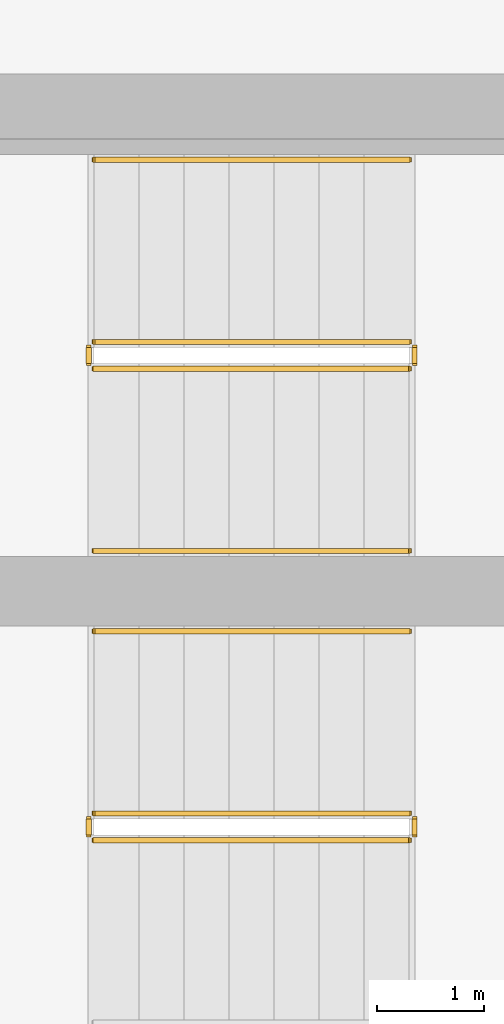
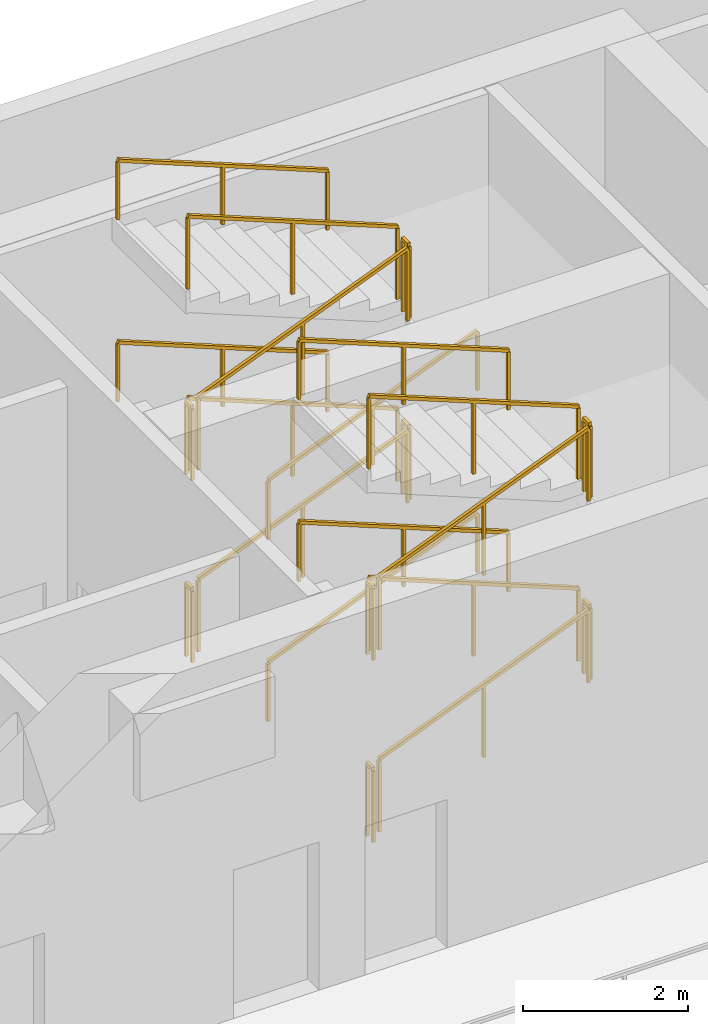
# One storey, part 9 of 9: 22 railings.
"""IFC4 building model written with IfcOpenShell, lengths in metres."""

from ifc_helpers import new_model, si_unit, direction, frame, origin, origin_2d, place, context, subcontext, project, spatial, rectangle, extrude, material, layer, layer_set, type_object, element, save


model = new_model("IFC4")

# Units and contexts
model_context = context("Model", 3, precision=1e-05, world=origin(), true_north=direction((0.0, 1.0)))
body_context = subcontext(model_context, "Body", "Model", "MODEL_VIEW")
ifc_project = project(units=[si_unit("LENGTHUNIT", "METRE"), si_unit("AREAUNIT", "SQUARE_METRE"), si_unit("VOLUMEUNIT", "CUBIC_METRE"), si_unit("PLANEANGLEUNIT", "RADIAN"), si_unit("MASSUNIT", "GRAM", prefix="KILO")], contexts=[model_context])

# Site, building, storey
site_placement = place(None, origin())
site = spatial("IfcSite", under=ifc_project, at=site_placement, CompositionType="ELEMENT")
building_placement = place(site_placement, origin())
building = spatial("IfcBuilding", under=site, at=building_placement, Name="Caeloran Harvest Quay", CompositionType="ELEMENT")
storey_placement = place(building_placement, frame((0.0, 0.0, 21.60009765625)))
storey = spatial("IfcBuildingStorey", under=building, at=storey_placement, Name="L05", CompositionType="ELEMENT", Elevation=21.60009765625)

# Railings
ifc_material_1 = material(Name="Painted Steel Baluster and Top-Rail Stair Guard", Category="steel")
ifc_layer_1 = layer(ifc_material_1, 0.050048828125, Name="Painted Steel Baluster and Top-Rail Stair Guard")
ifc_layer_set_1 = layer_set([ifc_layer_1], Name="Painted Steel Baluster and Top-Rail Stair Guard")
railing_type_1 = type_object("IfcRailingType", Name="STAIR-GUARD-1100", PredefinedType="GUARDRAIL", material=ifc_layer_set_1)
railing_1_placement = place(storey_placement, frame((15.89990234375, 38.25, 0.168701171875)))
element("IfcRailing", 1, at=railing_1_placement, inside=storey, type_object=railing_type_1, Name="L05 ST-C1 stair guard 1", PredefinedType="GUARDRAIL", context=body_context, shape_type="SweptSolid", body=[
    extrude(rectangle(XDim=0.048095703125, YDim=0.048095703125, at=origin_2d()), frame((0.0, 0.0, 1.076171875), z_axis=(0.927923022591, 0.0, 0.372771866088), x_axis=(0.0, 1.0, 0.0)), (0.0, 0.0, 1.0), 3.16845703125),
    extrude(rectangle(XDim=0.0419921875, YDim=0.0419921875, at=origin_2d()), origin(), (0.0, 0.0, 1.0), 1.052001953125),
    extrude(rectangle(XDim=0.0419921875, YDim=0.0419921875, at=origin_2d()), frame((1.47021484375, 0.0, 0.590576171875)), (0.0, 0.0, 1.0), 1.052001953125),
    extrude(rectangle(XDim=0.0419921875, YDim=0.0419921875, at=origin_2d()), frame((2.940185546875, 0.0, 1.18115234375)), (0.0, 0.0, 1.0), 1.052001953125),
])
railing_2_placement = place(storey_placement, frame((18.889892578125, 38.300048828125, 1.349853515625)))
element("IfcRailing", 2, at=railing_2_placement, inside=storey, type_object=railing_type_1, Name="L05 ST-C1 stair guard 2", PredefinedType="GUARDRAIL", context=body_context, shape_type="SweptSolid", body=[
    extrude(rectangle(XDim=0.048095703125, YDim=0.048095703125, at=origin_2d()), frame((0.0, 0.0, 1.076171875), z_axis=(0.0, 1.0, 0.0), x_axis=(-1.0, 0.0, 0.0)), (0.0, 0.0, 1.0), 0.14990234375),
    extrude(rectangle(XDim=0.0419921875, YDim=0.0419921875, at=origin_2d()), origin(), (0.0, 0.0, 1.0), 1.052001953125),
    extrude(rectangle(XDim=0.0419921875, YDim=0.0419921875, at=origin_2d()), frame((0.0, 0.14990234375, 0.0)), (0.0, 0.0, 1.0), 1.052001953125),
])
railing_3_placement = place(storey_placement, frame((18.840087890625, 38.5, 1.5185546875)))
element("IfcRailing", 3, at=railing_3_placement, inside=storey, type_object=railing_type_1, Name="L05 ST-C1 stair guard 3", PredefinedType="GUARDRAIL", context=body_context, shape_type="SweptSolid", body=[
    extrude(rectangle(XDim=0.048095703125, YDim=0.048095703125, at=origin_2d()), frame((0.0, 0.0, 1.076171875), z_axis=(-0.927896368829, 0.0, 0.372838207155), x_axis=(0.0, -1.0, 0.0)), (0.0, 0.0, 1.0), 3.168701171875),
    extrude(rectangle(XDim=0.0419921875, YDim=0.0419921875, at=origin_2d()), origin(), (0.0, 0.0, 1.0), 1.052001953125),
    extrude(rectangle(XDim=0.0419921875, YDim=0.0419921875, at=origin_2d()), frame((-1.47021484375, 0.0, 0.5908203125)), (0.0, 0.0, 1.0), 1.052001953125),
    extrude(rectangle(XDim=0.0419921875, YDim=0.0419921875, at=origin_2d()), frame((-2.940185546875, 0.0, 1.181396484375)), (0.0, 0.0, 1.0), 1.052001953125),
])
railing_4_placement = place(storey_placement, frame((15.85009765625, 38.300048828125, 2.699951171875)))
element("IfcRailing", 4, at=railing_4_placement, inside=storey, type_object=railing_type_1, Name="L05 ST-C1 stair guard 4", PredefinedType="GUARDRAIL", context=body_context, shape_type="SweptSolid", body=[
    extrude(rectangle(XDim=0.048095703125, YDim=0.048095703125, at=origin_2d()), frame((0.0, 0.0, 1.076171875), z_axis=(0.0, 1.0, 0.0), x_axis=(-1.0, 0.0, 0.0)), (0.0, 0.0, 1.0), 0.14990234375),
    extrude(rectangle(XDim=0.0419921875, YDim=0.0419921875, at=origin_2d()), origin(), (0.0, 0.0, 1.0), 1.052001953125),
    extrude(rectangle(XDim=0.0419921875, YDim=0.0419921875, at=origin_2d()), frame((0.0, 0.14990234375, 0.0)), (0.0, 0.0, 1.0), 1.052001953125),
])
railing_5_placement = place(storey_placement, frame((15.89990234375, 38.25, 2.86865234375)))
element("IfcRailing", 5, at=railing_5_placement, inside=storey, type_object=railing_type_1, Name="L05 ST-C1 stair guard 5", PredefinedType="GUARDRAIL", context=body_context, shape_type="SweptSolid", body=[
    extrude(rectangle(XDim=0.048095703125, YDim=0.048095703125, at=origin_2d()), frame((0.0, 0.0, 1.076171875), z_axis=(0.927923022591, 0.0, 0.372771866088), x_axis=(0.0, 1.0, 0.0)), (0.0, 0.0, 1.0), 3.16845703125),
    extrude(rectangle(XDim=0.0419921875, YDim=0.0419921875, at=origin_2d()), origin(), (0.0, 0.0, 1.0), 1.052001953125),
    extrude(rectangle(XDim=0.0419921875, YDim=0.0419921875, at=origin_2d()), frame((1.47021484375, 0.0, 0.590576171875)), (0.0, 0.0, 1.0), 1.052001953125),
    extrude(rectangle(XDim=0.0419921875, YDim=0.0419921875, at=origin_2d()), frame((2.940185546875, 0.0, 1.18115234375)), (0.0, 0.0, 1.0), 1.052001953125),
])
railing_6_placement = place(storey_placement, frame((18.889892578125, 38.300048828125, 4.0498046875)))
element("IfcRailing", 6, at=railing_6_placement, inside=storey, type_object=railing_type_1, Name="L05 ST-C1 stair guard 6", PredefinedType="GUARDRAIL", context=body_context, shape_type="SweptSolid", body=[
    extrude(rectangle(XDim=0.048095703125, YDim=0.048095703125, at=origin_2d()), frame((0.0, 0.0, 1.076171875), z_axis=(0.0, 1.0, 0.0), x_axis=(-1.0, 0.0, 0.0)), (0.0, 0.0, 1.0), 0.14990234375),
    extrude(rectangle(XDim=0.0419921875, YDim=0.0419921875, at=origin_2d()), origin(), (0.0, 0.0, 1.0), 1.052001953125),
    extrude(rectangle(XDim=0.0419921875, YDim=0.0419921875, at=origin_2d()), frame((0.0, 0.14990234375, 0.0)), (0.0, 0.0, 1.0), 1.052001953125),
])
railing_7_placement = place(storey_placement, frame((18.840087890625, 38.5, 4.21875)))
element("IfcRailing", 7, at=railing_7_placement, inside=storey, type_object=railing_type_1, Name="L05 ST-C1 stair guard 7", PredefinedType="GUARDRAIL", context=body_context, shape_type="SweptSolid", body=[
    extrude(rectangle(XDim=0.048095703125, YDim=0.048095703125, at=origin_2d()), frame((0.0, 0.0, 1.076171875), z_axis=(-0.927923022591, 0.0, 0.372771866088), x_axis=(0.0, -1.0, 0.0)), (0.0, 0.0, 1.0), 3.16845703125),
    extrude(rectangle(XDim=0.0419921875, YDim=0.0419921875, at=origin_2d()), origin(), (0.0, 0.0, 1.0), 1.052001953125),
    extrude(rectangle(XDim=0.0419921875, YDim=0.0419921875, at=origin_2d()), frame((-1.47021484375, 0.0, 0.590576171875)), (0.0, 0.0, 1.0), 1.052001953125),
    extrude(rectangle(XDim=0.0419921875, YDim=0.0419921875, at=origin_2d()), frame((-2.940185546875, 0.0, 1.18115234375)), (0.0, 0.0, 1.0), 1.052001953125),
])
railing_8_placement = place(storey_placement, frame((15.85009765625, 38.300048828125, 0.0)))
element("IfcRailing", 8, at=railing_8_placement, inside=storey, type_object=railing_type_1, Name="L05 ST-C1 stair guard 8", PredefinedType="GUARDRAIL", context=body_context, shape_type="SweptSolid", body=[
    extrude(rectangle(XDim=0.048095703125, YDim=0.048095703125, at=origin_2d()), frame((0.0, 0.0, 1.076171875), z_axis=(0.0, 1.0, 0.0), x_axis=(-1.0, 0.0, 0.0)), (0.0, 0.0, 1.0), 0.14990234375),
    extrude(rectangle(XDim=0.0419921875, YDim=0.0419921875, at=origin_2d()), origin(), (0.0, 0.0, 1.0), 1.052001953125),
    extrude(rectangle(XDim=0.0419921875, YDim=0.0419921875, at=origin_2d()), frame((0.0, 0.14990234375, 0.0)), (0.0, 0.0, 1.0), 1.052001953125),
])
railing_9_placement = place(storey_placement, frame((15.89990234375, 33.85009765625, 0.168701171875)))
element("IfcRailing", 9, at=railing_9_placement, inside=storey, type_object=railing_type_1, Name="L05 ST-C2 stair guard 1", PredefinedType="GUARDRAIL", context=body_context, shape_type="SweptSolid", body=[
    extrude(rectangle(XDim=0.048095703125, YDim=0.048095703125, at=origin_2d()), frame((0.0, 0.0, 1.076171875), z_axis=(0.927923022591, 0.0, 0.372771866088), x_axis=(0.0, 1.0, 0.0)), (0.0, 0.0, 1.0), 3.16845703125),
    extrude(rectangle(XDim=0.0419921875, YDim=0.0419921875, at=origin_2d()), origin(), (0.0, 0.0, 1.0), 1.052001953125),
    extrude(rectangle(XDim=0.0419921875, YDim=0.0419921875, at=origin_2d()), frame((1.47021484375, 0.0, 0.590576171875)), (0.0, 0.0, 1.0), 1.052001953125),
    extrude(rectangle(XDim=0.0419921875, YDim=0.0419921875, at=origin_2d()), frame((2.940185546875, 0.0, 1.18115234375)), (0.0, 0.0, 1.0), 1.052001953125),
])
railing_10_placement = place(storey_placement, frame((18.889892578125, 33.89990234375, 1.349853515625)))
element("IfcRailing", 10, at=railing_10_placement, inside=storey, type_object=railing_type_1, Name="L05 ST-C2 stair guard 2", PredefinedType="GUARDRAIL", context=body_context, shape_type="SweptSolid", body=[
    extrude(rectangle(XDim=0.048095703125, YDim=0.048095703125, at=origin_2d()), frame((0.0, 0.0, 1.076171875), z_axis=(0.0, 1.0, 0.0), x_axis=(-1.0, 0.0, 0.0)), (0.0, 0.0, 1.0), 0.150146484375),
    extrude(rectangle(XDim=0.0419921875, YDim=0.0419921875, at=origin_2d()), origin(), (0.0, 0.0, 1.0), 1.052001953125),
    extrude(rectangle(XDim=0.0419921875, YDim=0.0419921875, at=origin_2d()), frame((0.0, 0.150146484375, 0.0)), (0.0, 0.0, 1.0), 1.052001953125),
])
railing_11_placement = place(storey_placement, frame((18.840087890625, 34.10009765625, 1.5185546875)))
element("IfcRailing", 11, at=railing_11_placement, inside=storey, type_object=railing_type_1, Name="L05 ST-C2 stair guard 3", PredefinedType="GUARDRAIL", context=body_context, shape_type="SweptSolid", body=[
    extrude(rectangle(XDim=0.048095703125, YDim=0.048095703125, at=origin_2d()), frame((0.0, 0.0, 1.076171875), z_axis=(-0.927896368829, 0.0, 0.372838207155), x_axis=(0.0, -1.0, 0.0)), (0.0, 0.0, 1.0), 3.168701171875),
    extrude(rectangle(XDim=0.0419921875, YDim=0.0419921875, at=origin_2d()), origin(), (0.0, 0.0, 1.0), 1.052001953125),
    extrude(rectangle(XDim=0.0419921875, YDim=0.0419921875, at=origin_2d()), frame((-1.47021484375, 0.0, 0.5908203125)), (0.0, 0.0, 1.0), 1.052001953125),
    extrude(rectangle(XDim=0.0419921875, YDim=0.0419921875, at=origin_2d()), frame((-2.940185546875, 0.0, 1.181396484375)), (0.0, 0.0, 1.0), 1.052001953125),
])
railing_12_placement = place(storey_placement, frame((15.85009765625, 33.89990234375, 2.699951171875)))
element("IfcRailing", 12, at=railing_12_placement, inside=storey, type_object=railing_type_1, Name="L05 ST-C2 stair guard 4", PredefinedType="GUARDRAIL", context=body_context, shape_type="SweptSolid", body=[
    extrude(rectangle(XDim=0.048095703125, YDim=0.048095703125, at=origin_2d()), frame((0.0, 0.0, 1.076171875), z_axis=(0.0, 1.0, 0.0), x_axis=(-1.0, 0.0, 0.0)), (0.0, 0.0, 1.0), 0.150146484375),
    extrude(rectangle(XDim=0.0419921875, YDim=0.0419921875, at=origin_2d()), origin(), (0.0, 0.0, 1.0), 1.052001953125),
    extrude(rectangle(XDim=0.0419921875, YDim=0.0419921875, at=origin_2d()), frame((0.0, 0.150146484375, 0.0)), (0.0, 0.0, 1.0), 1.052001953125),
])
railing_13_placement = place(storey_placement, frame((15.89990234375, 33.85009765625, 2.86865234375)))
element("IfcRailing", 13, at=railing_13_placement, inside=storey, type_object=railing_type_1, Name="L05 ST-C2 stair guard 5", PredefinedType="GUARDRAIL", context=body_context, shape_type="SweptSolid", body=[
    extrude(rectangle(XDim=0.048095703125, YDim=0.048095703125, at=origin_2d()), frame((0.0, 0.0, 1.076171875), z_axis=(0.927923022591, 0.0, 0.372771866088), x_axis=(0.0, 1.0, 0.0)), (0.0, 0.0, 1.0), 3.16845703125),
    extrude(rectangle(XDim=0.0419921875, YDim=0.0419921875, at=origin_2d()), origin(), (0.0, 0.0, 1.0), 1.052001953125),
    extrude(rectangle(XDim=0.0419921875, YDim=0.0419921875, at=origin_2d()), frame((1.47021484375, 0.0, 0.590576171875)), (0.0, 0.0, 1.0), 1.052001953125),
    extrude(rectangle(XDim=0.0419921875, YDim=0.0419921875, at=origin_2d()), frame((2.940185546875, 0.0, 1.18115234375)), (0.0, 0.0, 1.0), 1.052001953125),
])
railing_14_placement = place(storey_placement, frame((18.889892578125, 33.89990234375, 4.0498046875)))
element("IfcRailing", 14, at=railing_14_placement, inside=storey, type_object=railing_type_1, Name="L05 ST-C2 stair guard 6", PredefinedType="GUARDRAIL", context=body_context, shape_type="SweptSolid", body=[
    extrude(rectangle(XDim=0.048095703125, YDim=0.048095703125, at=origin_2d()), frame((0.0, 0.0, 1.076171875), z_axis=(0.0, 1.0, 0.0), x_axis=(-1.0, 0.0, 0.0)), (0.0, 0.0, 1.0), 0.150146484375),
    extrude(rectangle(XDim=0.0419921875, YDim=0.0419921875, at=origin_2d()), origin(), (0.0, 0.0, 1.0), 1.052001953125),
    extrude(rectangle(XDim=0.0419921875, YDim=0.0419921875, at=origin_2d()), frame((0.0, 0.150146484375, 0.0)), (0.0, 0.0, 1.0), 1.052001953125),
])
railing_15_placement = place(storey_placement, frame((18.840087890625, 34.10009765625, 4.21875)))
element("IfcRailing", 15, at=railing_15_placement, inside=storey, type_object=railing_type_1, Name="L05 ST-C2 stair guard 7", PredefinedType="GUARDRAIL", context=body_context, shape_type="SweptSolid", body=[
    extrude(rectangle(XDim=0.048095703125, YDim=0.048095703125, at=origin_2d()), frame((0.0, 0.0, 1.076171875), z_axis=(-0.927923022591, 0.0, 0.372771866088), x_axis=(0.0, -1.0, 0.0)), (0.0, 0.0, 1.0), 3.16845703125),
    extrude(rectangle(XDim=0.0419921875, YDim=0.0419921875, at=origin_2d()), origin(), (0.0, 0.0, 1.0), 1.052001953125),
    extrude(rectangle(XDim=0.0419921875, YDim=0.0419921875, at=origin_2d()), frame((-1.47021484375, 0.0, 0.590576171875)), (0.0, 0.0, 1.0), 1.052001953125),
    extrude(rectangle(XDim=0.0419921875, YDim=0.0419921875, at=origin_2d()), frame((-2.940185546875, 0.0, 1.18115234375)), (0.0, 0.0, 1.0), 1.052001953125),
])
railing_16_placement = place(storey_placement, frame((15.85009765625, 33.89990234375, 0.0)))
element("IfcRailing", 16, at=railing_16_placement, inside=storey, type_object=railing_type_1, Name="L05 ST-C2 stair guard 8", PredefinedType="GUARDRAIL", context=body_context, shape_type="SweptSolid", body=[
    extrude(rectangle(XDim=0.048095703125, YDim=0.048095703125, at=origin_2d()), frame((0.0, 0.0, 1.076171875), z_axis=(0.0, 1.0, 0.0), x_axis=(-1.0, 0.0, 0.0)), (0.0, 0.0, 1.0), 0.150146484375),
    extrude(rectangle(XDim=0.0419921875, YDim=0.0419921875, at=origin_2d()), origin(), (0.0, 0.0, 1.0), 1.052001953125),
    extrude(rectangle(XDim=0.0419921875, YDim=0.0419921875, at=origin_2d()), frame((0.0, 0.150146484375, 0.0)), (0.0, 0.0, 1.0), 1.052001953125),
])
ifc_material_2 = material(Name="Brushed Stainless Steel Grade 304", Category="steel")
ifc_layer_2 = layer(ifc_material_2, 0.050048828125, Name="Brushed Stainless Steel Grade 304")
ifc_layer_set_2 = layer_set([ifc_layer_2], Name="Brushed Stainless Steel Grade 304")
railing_type_2 = type_object("IfcRailingType", Name="STAIR-HANDRAIL-900", PredefinedType="HANDRAIL", material=ifc_layer_set_2)
railing_17_placement = place(storey_placement, frame((15.89990234375, 36.550048828125, 0.168701171875)))
element("IfcRailing", 17, at=railing_17_placement, inside=storey, type_object=railing_type_2, Name="L05 ST-C1 stair handrail 1", PredefinedType="HANDRAIL", context=body_context, shape_type="SweptSolid", body=[
    extrude(rectangle(XDim=0.048095703125, YDim=0.048095703125, at=origin_2d()), frame((0.0, 0.0, 0.8759765625), z_axis=(0.927923022591, 0.0, 0.372771866088), x_axis=(0.0, 1.0, 0.0)), (0.0, 0.0, 1.0), 3.16845703125),
    extrude(rectangle(XDim=0.0419921875, YDim=0.0419921875, at=origin_2d()), origin(), (0.0, 0.0, 1.0), 0.851806640625),
    extrude(rectangle(XDim=0.0419921875, YDim=0.0419921875, at=origin_2d()), frame((1.47021484375, 0.0, 0.590576171875)), (0.0, 0.0, 1.0), 0.851806640625),
    extrude(rectangle(XDim=0.0419921875, YDim=0.0419921875, at=origin_2d()), frame((2.940185546875, 0.0, 1.18115234375)), (0.0, 0.0, 1.0), 0.851806640625),
])
railing_18_placement = place(storey_placement, frame((18.840087890625, 40.199951171875, 1.5185546875)))
element("IfcRailing", 18, at=railing_18_placement, inside=storey, type_object=railing_type_2, Name="L05 ST-C1 stair handrail 2", PredefinedType="HANDRAIL", context=body_context, shape_type="SweptSolid", body=[
    extrude(rectangle(XDim=0.048095703125, YDim=0.048095703125, at=origin_2d()), frame((0.0, 0.0, 0.8759765625), z_axis=(-0.927896368829, 0.0, 0.372838207155), x_axis=(0.0, -1.0, 0.0)), (0.0, 0.0, 1.0), 3.168701171875),
    extrude(rectangle(XDim=0.0419921875, YDim=0.0419921875, at=origin_2d()), origin(), (0.0, 0.0, 1.0), 0.851806640625),
    extrude(rectangle(XDim=0.0419921875, YDim=0.0419921875, at=origin_2d()), frame((-1.47021484375, 0.0, 0.5908203125)), (0.0, 0.0, 1.0), 0.851806640625),
    extrude(rectangle(XDim=0.0419921875, YDim=0.0419921875, at=origin_2d()), frame((-2.940185546875, 0.0, 1.181396484375)), (0.0, 0.0, 1.0), 0.851806640625),
])
railing_19_placement = place(storey_placement, frame((15.89990234375, 36.550048828125, 2.86865234375)))
element("IfcRailing", 19, at=railing_19_placement, inside=storey, type_object=railing_type_2, Name="L05 ST-C1 stair handrail 3", PredefinedType="HANDRAIL", context=body_context, shape_type="SweptSolid", body=[
    extrude(rectangle(XDim=0.048095703125, YDim=0.048095703125, at=origin_2d()), frame((0.0, 0.0, 0.8759765625), z_axis=(0.927923022591, 0.0, 0.372771866088), x_axis=(0.0, 1.0, 0.0)), (0.0, 0.0, 1.0), 3.16845703125),
    extrude(rectangle(XDim=0.0419921875, YDim=0.0419921875, at=origin_2d()), origin(), (0.0, 0.0, 1.0), 0.851806640625),
    extrude(rectangle(XDim=0.0419921875, YDim=0.0419921875, at=origin_2d()), frame((1.47021484375, 0.0, 0.590576171875)), (0.0, 0.0, 1.0), 0.851806640625),
    extrude(rectangle(XDim=0.0419921875, YDim=0.0419921875, at=origin_2d()), frame((2.940185546875, 0.0, 1.18115234375)), (0.0, 0.0, 1.0), 0.851806640625),
])
railing_20_placement = place(storey_placement, frame((18.840087890625, 40.199951171875, 4.21875)))
element("IfcRailing", 20, at=railing_20_placement, inside=storey, type_object=railing_type_2, Name="L05 ST-C1 stair handrail 4", PredefinedType="HANDRAIL", context=body_context, shape_type="SweptSolid", body=[
    extrude(rectangle(XDim=0.048095703125, YDim=0.048095703125, at=origin_2d()), frame((0.0, 0.0, 0.8759765625), z_axis=(-0.927923022591, 0.0, 0.372771866088), x_axis=(0.0, -1.0, 0.0)), (0.0, 0.0, 1.0), 3.16845703125),
    extrude(rectangle(XDim=0.0419921875, YDim=0.0419921875, at=origin_2d()), origin(), (0.0, 0.0, 1.0), 0.851806640625),
    extrude(rectangle(XDim=0.0419921875, YDim=0.0419921875, at=origin_2d()), frame((-1.47021484375, 0.0, 0.590576171875)), (0.0, 0.0, 1.0), 0.851806640625),
    extrude(rectangle(XDim=0.0419921875, YDim=0.0419921875, at=origin_2d()), frame((-2.940185546875, 0.0, 1.18115234375)), (0.0, 0.0, 1.0), 0.851806640625),
])
railing_21_placement = place(storey_placement, frame((18.840087890625, 35.800048828125, 1.5185546875)))
element("IfcRailing", 21, at=railing_21_placement, inside=storey, type_object=railing_type_2, Name="L05 ST-C2 stair handrail 2", PredefinedType="HANDRAIL", context=body_context, shape_type="SweptSolid", body=[
    extrude(rectangle(XDim=0.048095703125, YDim=0.048095703125, at=origin_2d()), frame((0.0, 0.0, 0.8759765625), z_axis=(-0.927896368829, 0.0, 0.372838207155), x_axis=(0.0, -1.0, 0.0)), (0.0, 0.0, 1.0), 3.168701171875),
    extrude(rectangle(XDim=0.0419921875, YDim=0.0419921875, at=origin_2d()), origin(), (0.0, 0.0, 1.0), 0.851806640625),
    extrude(rectangle(XDim=0.0419921875, YDim=0.0419921875, at=origin_2d()), frame((-1.47021484375, 0.0, 0.5908203125)), (0.0, 0.0, 1.0), 0.851806640625),
    extrude(rectangle(XDim=0.0419921875, YDim=0.0419921875, at=origin_2d()), frame((-2.940185546875, 0.0, 1.181396484375)), (0.0, 0.0, 1.0), 0.851806640625),
])
railing_22_placement = place(storey_placement, frame((18.840087890625, 35.800048828125, 4.21875)))
element("IfcRailing", 22, at=railing_22_placement, inside=storey, type_object=railing_type_2, Name="L05 ST-C2 stair handrail 4", PredefinedType="HANDRAIL", context=body_context, shape_type="SweptSolid", body=[
    extrude(rectangle(XDim=0.048095703125, YDim=0.048095703125, at=origin_2d()), frame((0.0, 0.0, 0.8759765625), z_axis=(-0.927923022591, 0.0, 0.372771866088), x_axis=(0.0, -1.0, 0.0)), (0.0, 0.0, 1.0), 3.16845703125),
    extrude(rectangle(XDim=0.0419921875, YDim=0.0419921875, at=origin_2d()), origin(), (0.0, 0.0, 1.0), 0.851806640625),
    extrude(rectangle(XDim=0.0419921875, YDim=0.0419921875, at=origin_2d()), frame((-1.47021484375, 0.0, 0.590576171875)), (0.0, 0.0, 1.0), 0.851806640625),
    extrude(rectangle(XDim=0.0419921875, YDim=0.0419921875, at=origin_2d()), frame((-2.940185546875, 0.0, 1.18115234375)), (0.0, 0.0, 1.0), 0.851806640625),
])

save(model, "model.ifc")
